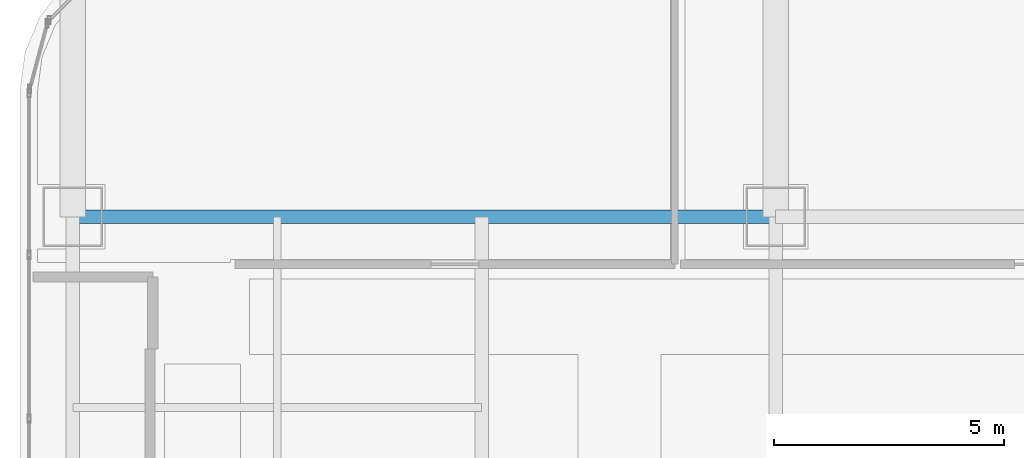
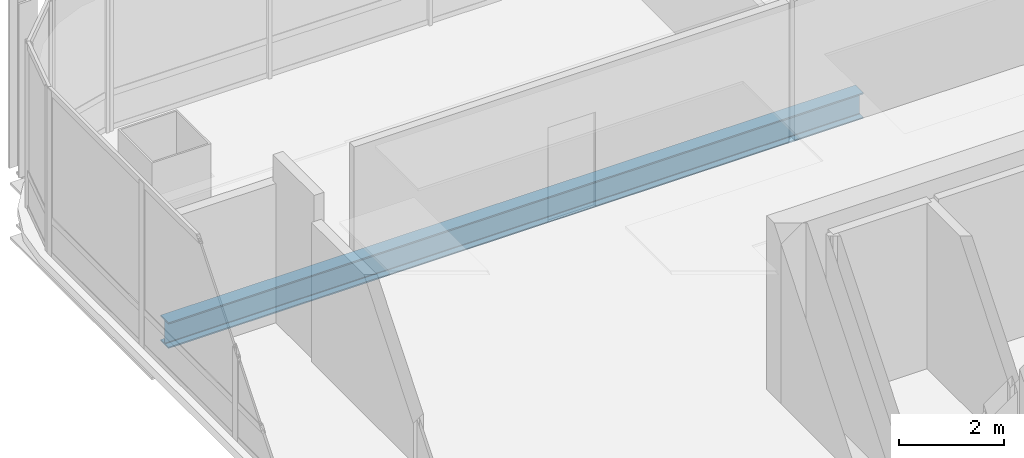
# One storey, part 23 of 42: 1 beam.
"""IFC4 building model written with IfcOpenShell, lengths in metres."""

import ifcopenshell
import ifcopenshell.guid

model = None  # the IFC model being written
_history = None  # IfcOwnerHistory: only IFC2X3 demands one
_inside = {}  # id of a spatial element -> (the spatial element, [elements in it])
_under = {}  # id of a project, library or spatial element -> (it, [spatial elements below it])
_declared = {}  # id of a project -> (the project, [libraries it declares])
_typed = {}  # id of a type object -> (the type object, [elements of that type])
_made_of = {}  # id of a material, layer set ... -> (it, [elements and type objects made of it])


def new_model(schema):
    """Start an empty IFC model of exactly this schema.

    Asked for "IFC4X3", IfcOpenShell would pick the latest addendum, in which some entities
    have other attributes; the version numbers below select the first issue.
    IFC2X3 requires an IfcOwnerHistory on every rooted entity: one is made here for all.
    """
    global model, _history
    if schema == "IFC4X3":
        model = ifcopenshell.file(schema_version=(4, 3, 0, 0))
    else:
        model = ifcopenshell.file(schema=schema)
    _inside.clear()
    _under.clear()
    _declared.clear()
    _typed.clear()
    _made_of.clear()
    _history = None
    if model.schema == "IFC2X3":
        org = make("IfcOrganization", Name="unknown")
        user = make(
            "IfcPersonAndOrganization",
            ThePerson=make("IfcPerson", FamilyName="unknown"),
            TheOrganization=org,
        )
        app = make(
            "IfcApplication",
            ApplicationDeveloper=org,
            Version="unknown",
            ApplicationFullName="unknown",
            ApplicationIdentifier="unknown",
        )
        _history = make(
            "IfcOwnerHistory",
            OwningUser=user,
            OwningApplication=app,
            ChangeAction="ADDED",
            CreationDate=0,
        )
    return model


def make(cls, **values):
    """One entity of the class cls with the attributes given. An attribute that is None is left unset."""
    return model.create_entity(
        cls, **{name: value for name, value in values.items() if value is not None}
    )


def rooted(cls, **values):
    """An entity with a GlobalId (a new one), such as an element, a storey or a relation."""
    return make(cls, GlobalId=ifcopenshell.guid.new(), OwnerHistory=_history, **values)


def si_unit(unit_type, name, prefix=None):
    """IfcSIUnit, for example si_unit("LENGTHUNIT", "METRE", prefix="MILLI")."""
    return make("IfcSIUnit", UnitType=unit_type, Prefix=prefix, Name=name)


def assignment(units):
    """IfcUnitAssignment: the units of a project."""
    return None if units is None else make("IfcUnitAssignment", Units=units)


def point(xyz):
    """IfcCartesianPoint."""
    return None if xyz is None else make("IfcCartesianPoint", Coordinates=xyz)


def direction(xyz):
    """IfcDirection."""
    return None if xyz is None else make("IfcDirection", DirectionRatios=xyz)


def frame(location, z_axis=None, x_axis=None):
    """IfcAxis2Placement3D, a coordinate frame: its origin and axes. An axis left out is left unset."""
    return make(
        "IfcAxis2Placement3D",
        Location=point(location),
        Axis=direction(z_axis),
        RefDirection=direction(x_axis),
    )


def frame_2d(location, x_axis=None):
    """IfcAxis2Placement2D, a coordinate frame in the plane: its origin and x axis."""
    return make(
        "IfcAxis2Placement2D", Location=point(location), RefDirection=direction(x_axis)
    )


def origin():
    """The frame at (0, 0, 0) with its axes left unset."""
    return frame((0.0, 0.0, 0.0))


def origin_2d():
    """The frame at (0, 0) in the plane with its x axis left unset."""
    return frame_2d((0.0, 0.0))


def place(relative_to, where):
    """IfcLocalPlacement: puts the frame where relative to a parent placement (None: the world)."""
    return make(
        "IfcLocalPlacement", PlacementRelTo=relative_to, RelativePlacement=where
    )


def context(
    kind, dimensions, precision=None, world=None, true_north=None, identifier=None
):
    """IfcGeometricRepresentationContext, for example the 3D "Model" context."""
    return make(
        "IfcGeometricRepresentationContext",
        ContextIdentifier=identifier,
        ContextType=kind,
        CoordinateSpaceDimension=dimensions,
        Precision=precision,
        WorldCoordinateSystem=world,
        TrueNorth=true_north,
    )


def subcontext(parent, identifier, kind, view, scale=None):
    """IfcGeometricRepresentationSubContext, for example "Body" below "Model"."""
    return make(
        "IfcGeometricRepresentationSubContext",
        ContextIdentifier=identifier,
        ContextType=kind,
        ParentContext=parent,
        TargetScale=scale,
        TargetView=view,
    )


def project(units=None, contexts=None):
    """IfcProject with its units and contexts."""
    return rooted(
        "IfcProject",
        Name="project",
        RepresentationContexts=contexts,
        UnitsInContext=assignment(units),
    )


def spatial(cls, under=None, at=None, **own):
    """A site, building, storey or space (cls), placed at a placement, below another one or the project."""
    s = rooted(cls, ObjectPlacement=at, **own)
    if under is not None:
        _under.setdefault(under.id(), (under, []))[1].append(s)
    return s


def profile(cls, at=None, kind="AREA", **sizes):
    """A parametric profile (cls). Its sizes go by their IFC names, for example OverallWidth=200.0."""
    return make(cls, ProfileType=kind, Position=at, **sizes)


def i_section(**sizes):
    """IfcIShapeProfileDef."""
    return profile("IfcIShapeProfileDef", **sizes)


def extrude(swept, where, along, depth):
    """IfcExtrudedAreaSolid: the profile swept, set in the frame where, extruded along a direction by depth."""
    return make(
        "IfcExtrudedAreaSolid",
        SweptArea=swept,
        Position=where,
        ExtrudedDirection=direction(along),
        Depth=depth,
    )


def shape(context_of_items, identifier, shape_type, items):
    """IfcShapeRepresentation: the items that make up one representation, for example the "Body"."""
    return make(
        "IfcShapeRepresentation",
        ContextOfItems=context_of_items,
        RepresentationIdentifier=identifier,
        RepresentationType=shape_type,
        Items=items,
    )


def material(Name=None, Category=None):
    """IfcMaterial."""
    return make("IfcMaterial", Name=Name, Category=Category)


def material_profile(
    of_material, cross_section, Name=None, Category=None, Priority=None
):
    """IfcMaterialProfile: a cross section and its material."""
    return make(
        "IfcMaterialProfile",
        Name=Name,
        Material=of_material,
        Profile=cross_section,
        Priority=Priority,
        Category=Category,
    )


def profile_set(profiles, Name=None, composite=None):
    """IfcMaterialProfileSet."""
    return make(
        "IfcMaterialProfileSet",
        Name=Name,
        MaterialProfiles=profiles,
        CompositeProfile=composite,
    )


def made_of(thing, what):
    """Note that an element or type object is made of a material, layer set ...; save() writes the relation."""
    if what is not None:
        _made_of.setdefault(what.id(), (what, []))[1].append(thing)
    return thing


def type_object(cls, material=None, **own):
    """A type object (cls), such as IfcWallType, which elements share."""
    return made_of(rooted(cls, **own), material)


def element(
    cls,
    number,
    at=None,
    inside=None,
    cuts=None,
    type_object=None,
    material=None,
    context=None,
    identifier="Body",
    shape_type=None,
    held_by="IfcProductDefinitionShape",
    body=None,
    shapes=None,
    **own,
):
    """One element of the class cls, such as IfcWall. Its Tag is "e" and its number.

    at: its placement. inside: the storey or other place that contains it. cuts: it is an
    opening in that element (IfcRelVoidsElement). A single representation is given by context,
    identifier, shape_type and body (its items); several are given by shapes. held_by: the class
    of the entity that holds the representations. save() writes the other relations.
    """
    e = rooted(cls, Tag="e%d" % number, ObjectPlacement=at, **own)
    if body is not None:
        shapes = [shape(context, identifier, shape_type, body)]
    if shapes is not None:
        e.Representation = make(held_by, Representations=shapes)
    if inside is not None:
        _inside.setdefault(inside.id(), (inside, []))[1].append(e)
    if cuts is not None:
        rooted(
            "IfcRelVoidsElement", RelatingBuildingElement=cuts, RelatedOpeningElement=e
        )
    if type_object is not None:
        _typed.setdefault(type_object.id(), (type_object, []))[1].append(e)
    return made_of(e, material)


def aggregate(whole, parts):
    """IfcRelAggregates: a whole, such as a stair, and the parts it consists of."""
    return rooted("IfcRelAggregates", RelatingObject=whole, RelatedObjects=parts)


def save(model, path):
    """Write the relations noted so far, then the file.

    IfcRelAggregates (storeys below a building ...), IfcRelContainedInSpatialStructure (elements
    in a storey), IfcRelDefinesByType, IfcRelAssociatesMaterial and IfcRelDeclares: one each for
    every whole, place, type object, material and project.
    """
    for whole, parts in _under.values():
        aggregate(whole, parts)
    for where, things in _inside.values():
        rooted(
            "IfcRelContainedInSpatialStructure",
            RelatedElements=things,
            RelatingStructure=where,
        )
    for kind, things in _typed.values():
        rooted("IfcRelDefinesByType", RelatedObjects=things, RelatingType=kind)
    for what, things in _made_of.values():
        rooted("IfcRelAssociatesMaterial", RelatedObjects=things, RelatingMaterial=what)
    for by, libraries in _declared.values():
        rooted("IfcRelDeclares", RelatingContext=by, RelatedDefinitions=libraries)
    model.write(path)


model = new_model("IFC4")

# Units and contexts
model_context = context("Model", 3, precision=1e-05, world=origin(), true_north=direction((0.0, 1.0)))
body_context = subcontext(model_context, "Body", "Model", "MODEL_VIEW")
ifc_project = project(units=[si_unit("LENGTHUNIT", "METRE"), si_unit("AREAUNIT", "SQUARE_METRE"), si_unit("VOLUMEUNIT", "CUBIC_METRE"), si_unit("PLANEANGLEUNIT", "RADIAN"), si_unit("MASSUNIT", "GRAM", prefix="KILO")], contexts=[model_context])

# Site, building, storey
site_placement = place(None, origin())
site = spatial("IfcSite", under=ifc_project, at=site_placement, CompositionType="ELEMENT")
building_placement = place(site_placement, origin())
building = spatial("IfcBuilding", under=site, at=building_placement, Name="Punatoya Terracotta Tower", CompositionType="ELEMENT")
storey_placement = place(building_placement, frame((0.0, 0.0, 255.449951171875)))
storey = spatial("IfcBuildingStorey", under=building, at=storey_placement, Name="L60", CompositionType="ELEMENT", Elevation=255.449951171875)

# Beam
ifc_material = material(Name="Steel S355", Category="steel")
ifc_material_profile = material_profile(ifc_material, i_section(OverallWidth=0.300048828125, OverallDepth=0.60009765625, WebThickness=0.015380859375, FlangeThickness=0.030029296875, FilletRadius=0.01806640625, at=origin_2d()))
ifc_profile_set = profile_set([ifc_material_profile], Name="Steel S355")
beam_type = type_object("IfcBeamType", Name="BM-PRI-600", PredefinedType="BEAM", material=ifc_profile_set)
beam_placement = place(storey_placement, frame((-19.10009765625, 17.5, -0.5), z_axis=(1.0, 0.0, 0.0), x_axis=(0.0, 1.0, 0.0)))
element("IfcBeam", 1, at=beam_placement, inside=storey, type_object=beam_type, Name="BM-L60-RG-N1", PredefinedType="BEAM", context=body_context, shape_type="SweptSolid", body=[
    extrude(i_section(OverallWidth=0.300048828125, OverallDepth=0.60009765625, WebThickness=0.015380859375, FlangeThickness=0.030029296875, FilletRadius=0.01806640625, at=origin_2d()), origin(), (0.0, 0.0, 1.0), 15.300048828125),
])

save(model, "model.ifc")
